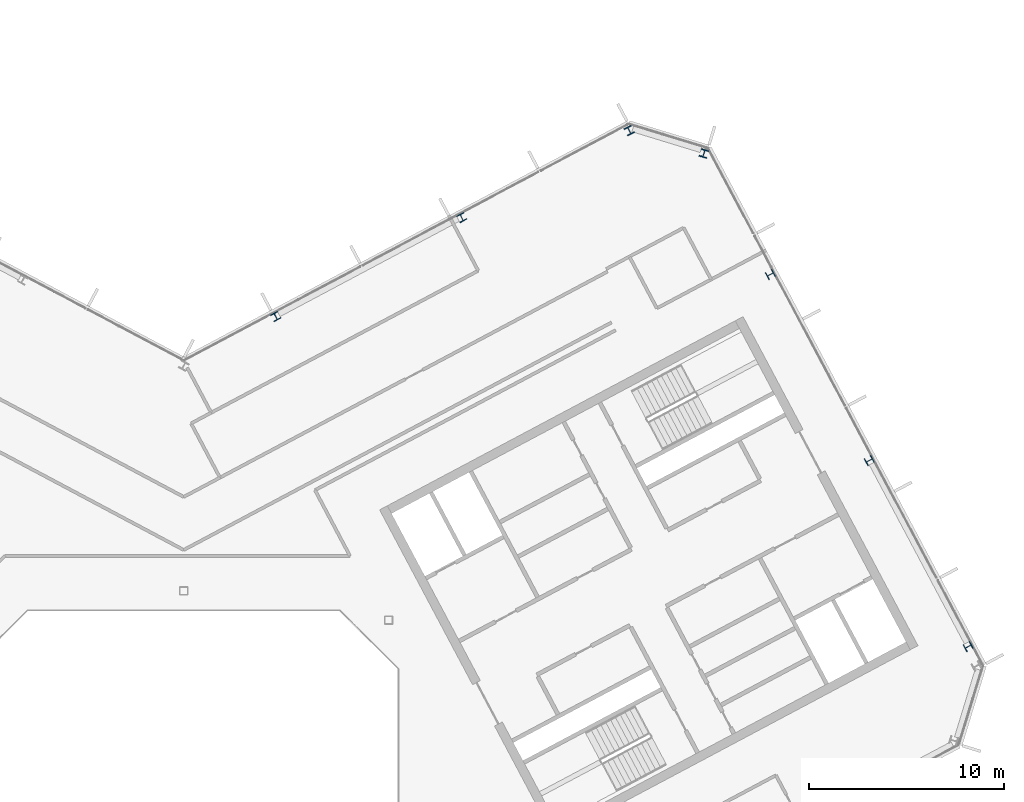
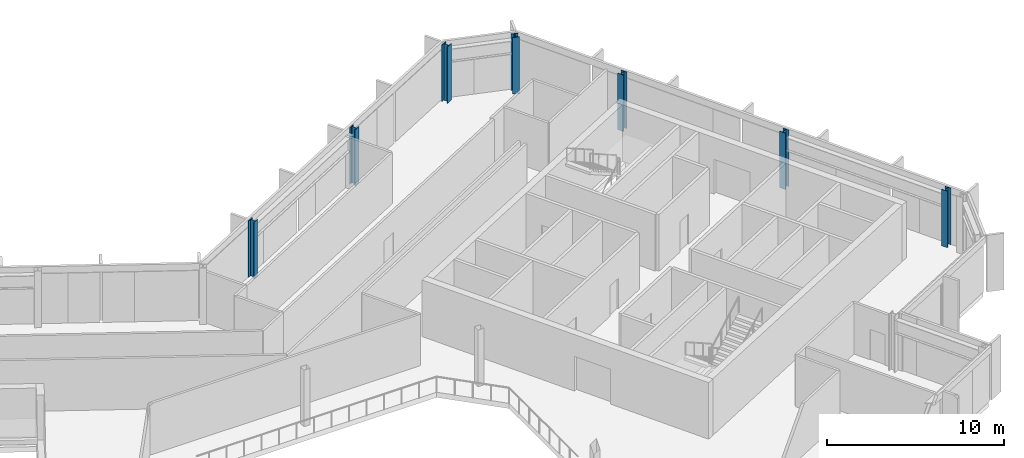
# One storey, part 7 of 26: 7 columns.
"""IFC4 building model written with IfcOpenShell, lengths in metres."""

from ifc_helpers import new_model, si_unit, direction, frame, origin, origin_2d, place, context, subcontext, project, spatial, i_section, extrude, material, material_profile, profile_set, type_object, element, save


model = new_model("IFC4")

# Units and contexts
model_context = context("Model", 3, precision=1e-05, world=origin(), true_north=direction((0.0, 1.0)))
body_context = subcontext(model_context, "Body", "Model", "MODEL_VIEW")
ifc_project = project(units=[si_unit("LENGTHUNIT", "METRE"), si_unit("AREAUNIT", "SQUARE_METRE"), si_unit("VOLUMEUNIT", "CUBIC_METRE"), si_unit("PLANEANGLEUNIT", "RADIAN"), si_unit("MASSUNIT", "GRAM", prefix="KILO")], contexts=[model_context])

# Site, building, storey
site_placement = place(None, origin())
site = spatial("IfcSite", under=ifc_project, at=site_placement, CompositionType="ELEMENT")
building_placement = place(site_placement, origin())
building = spatial("IfcBuilding", under=site, at=building_placement, Name="Cormorant Relay Tower", CompositionType="ELEMENT")
storey_placement = place(building_placement, frame((0.0, 0.0, 293.10009765625)))
storey = spatial("IfcBuildingStorey", under=building, at=storey_placement, Name="L66", CompositionType="ELEMENT", Elevation=293.10009765625)

# Columns
ifc_material_1 = material(Name="Steel ASTM A992 (Fy 345 MPa)", Category="steel")
ifc_material_profile_1 = material_profile(ifc_material_1, i_section(OverallWidth=0.398681640625, OverallDepth=0.385986328125, WebThickness=0.02099609375, FlangeThickness=0.033203125, FilletRadius=0.01513671875, at=origin_2d()), Name="W360x262")
ifc_profile_set_1 = profile_set([ifc_material_profile_1], Name="Steel ASTM A992 (Fy 345 MPa)")
column_type_1 = type_object("IfcColumnType", Name="Column W360x262", PredefinedType="COLUMN", material=ifc_profile_set_1)
for number, where, z_axis, x_axis, name in (
    (1, (40.2119140625, 9.14892578125, 0.0), (0.0, 0.0, 1.0), (-0.469471562786, 0.882947592859, 0.0), "Column L66-021"),
    (2, (35.14111328125, 18.68505859375, 0.0), (0.0, 0.0, 1.0), (-0.469471562786, 0.882947592859, 0.0), "Column L66-027"),
    (3, (4.715087890625, 26.06494140625, 0.0), (0.0, 0.0, 1.0), (-0.882947592859, -0.469471562786, 0.0), "Column L66-031"),
    (4, (30.071044921875, 28.220947265625, 0.0), (0.0, 0.0, 1.0), (-0.469471562786, 0.882947592859, 0.0), "Column L66-033"),
    (5, (14.2509765625, 31.135009765625, 0.0), (0.0, 0.0, 1.0), (-0.882947592859, -0.469471562786, 0.0), "Column L66-035"),
):
    element("IfcColumn", number, at=place(storey_placement, frame(where, z_axis=z_axis, x_axis=x_axis)), inside=storey, type_object=column_type_1, Name=name, PredefinedType="COLUMN", context=body_context, shape_type="SweptSolid", body=[
        extrude(i_section(OverallWidth=0.398681640625, OverallDepth=0.385986328125, WebThickness=0.02099609375, FlangeThickness=0.033203125, FilletRadius=0.01513671875, at=origin_2d()), origin(), (0.0, 0.0, 1.0), 3.89990234375),
    ])
ifc_material_2 = material(Name="Steel ASTM A992 (Fy 345 MPa)", Category="steel")
ifc_material_profile_2 = material_profile(ifc_material_2, i_section(OverallWidth=0.40380859375, OverallDepth=0.406494140625, WebThickness=0.027099609375, FlangeThickness=0.043701171875, FilletRadius=0.01513671875, at=origin_2d()), Name="W360x347")
ifc_profile_set_2 = profile_set([ifc_material_profile_2], Name="Steel ASTM A992 (Fy 345 MPa)")
column_type_2 = type_object("IfcColumnType", Name="Column W360x347", PredefinedType="COLUMN", material=ifc_profile_set_2)
for number, where, z_axis, x_axis, name in (
    (6, (26.6640625, 34.425048828125, 0.0), (0.0, 0.0, 1.0), (-0.956304755963, 0.292371704723, 0.0), "Column L66-038"),
    (7, (22.841064453125, 35.593994140625, 0.0), (0.0, 0.0, 1.0), (-0.882947592859, -0.469471562786, 0.0), "Column L66-039"),
):
    element("IfcColumn", number, at=place(storey_placement, frame(where, z_axis=z_axis, x_axis=x_axis)), inside=storey, type_object=column_type_2, Name=name, PredefinedType="COLUMN", context=body_context, shape_type="SweptSolid", body=[
        extrude(i_section(OverallWidth=0.40380859375, OverallDepth=0.406494140625, WebThickness=0.027099609375, FlangeThickness=0.043701171875, FilletRadius=0.01513671875, at=origin_2d()), origin(), (0.0, 0.0, 1.0), 3.89990234375),
    ])

save(model, "model.ifc")
